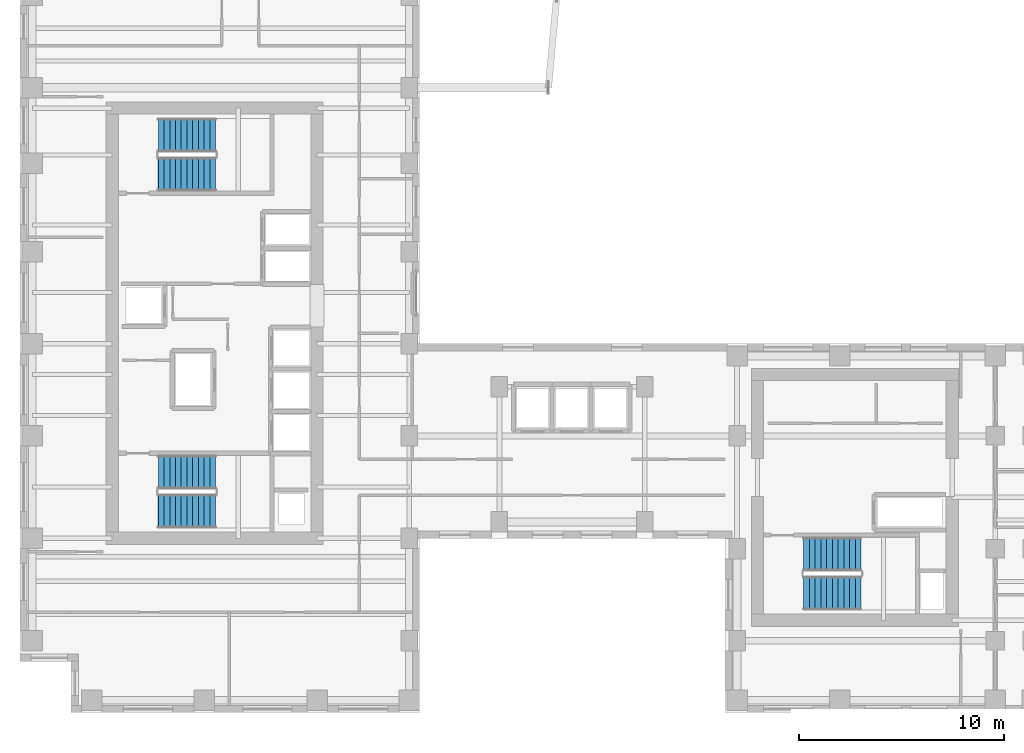
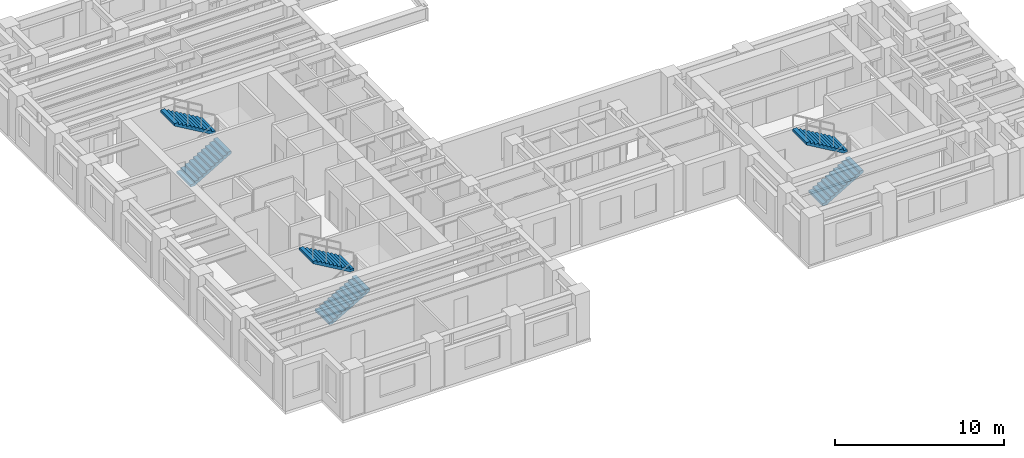
# One storey, part 11 of 13: 6 stair flights, 3 elements without a shape of their own.
"""IFC4 building model written with IfcOpenShell, lengths in metres."""

from ifc_helpers import new_model, si_unit, direction, frame, origin, place, context, subcontext, project, spatial, polyline, outline, extrude, source, transform, mapped, material, type_object, element, aggregate, save


model = new_model("IFC4")

# Units and contexts
model_context = context("Model", 3, precision=1e-05, world=origin(), true_north=direction((0.0, 1.0)))
body_context = subcontext(model_context, "Body", "Model", "MODEL_VIEW")
ifc_project = project(units=[si_unit("LENGTHUNIT", "METRE"), si_unit("AREAUNIT", "SQUARE_METRE"), si_unit("VOLUMEUNIT", "CUBIC_METRE"), si_unit("PLANEANGLEUNIT", "RADIAN"), si_unit("MASSUNIT", "GRAM", prefix="KILO")], contexts=[model_context])

# Site, building, storey
site_placement = place(None, origin())
site = spatial("IfcSite", under=ifc_project, at=site_placement, CompositionType="ELEMENT")
building_placement = place(site_placement, origin())
building = spatial("IfcBuilding", under=site, at=building_placement, Name="Kharzan Plaza Tower", CompositionType="ELEMENT")
storey_placement = place(building_placement, frame((0.0, 0.0, 153.89990234375)))
storey = spatial("IfcBuildingStorey", under=building, at=storey_placement, Name="L41", CompositionType="ELEMENT", Elevation=153.89990234375)

# Stair, stair flights
ifc_material = material(Name="Concrete C40/50", Category="concrete")
stair_type_1 = type_object("IfcStairType", Name="STR-ST-1", PredefinedType="HALF_TURN_STAIR", material=ifc_material)
stair_1_placement = place(storey_placement, origin())
stair_1 = element("IfcStair", 1, at=stair_1_placement, inside=storey, type_object=stair_type_1, Name="L41 Protected Exit Stair ST-1", PredefinedType="HALF_TURN_STAIR")
stair_flight_type = type_object("IfcStairFlightType", Name="SFL-1650-R173", PredefinedType="STRAIGHT", material=ifc_material)
shared_shape = source(origin(), body_context, "Body", "SweptSolid", [
    extrude(outline(polyline([(-0.0029296875, -0.011962890625), (-0.0029296875, 0.0), (0.0, 0.0), (0.0, 0.16357421875), (0.280029296875, 0.16357421875), (0.280029296875, 0.3271484375), (0.56005859375, 0.3271484375), (0.56005859375, 0.49072265625), (0.840087890625, 0.49072265625), (0.840087890625, 0.654296875), (1.1201171875, 0.654296875), (1.1201171875, 0.81787109375), (1.400146484375, 0.81787109375), (1.400146484375, 0.9814453125), (1.68017578125, 0.9814453125), (1.68017578125, 1.14501953125), (1.960205078125, 1.14501953125), (1.960205078125, 1.30859375), (2.240234375, 1.30859375), (2.240234375, 1.47216796875), (2.520263671875, 1.47216796875), (2.520263671875, 1.6357421875), (2.80029296875, 1.6357421875), (2.80029296875, 1.79931640625), (2.80029296875, 1.462158203125), (0.297119140625, 0.0), (0.297119140625, -0.011962890625), (-0.0029296875, -0.011962890625)])), frame((0.0, 0.824951171875, 0.0), z_axis=(0.0, -1.0, 0.0), x_axis=(1.0, 0.0, 0.0)), (0.0, 0.0, 1.0), 1.64990234375),
])
stair_flight_1_placement = place(storey_placement, frame((6.75, 9.824951171875, 0.0), z_axis=(0.0, 0.0, 1.0), x_axis=(1.0, 0.0, 0.0)))
stair_flight_1 = element("IfcStairFlight", 2, at=stair_flight_1_placement, type_object=stair_flight_type, Name="ST-1 flight 1", NumberOfRisers=11, NumberOfTreads=10, PredefinedType="STRAIGHT", RiserHeight=0.163636364, TreadLength=0.28, context=body_context, shape_type="MappedRepresentation", body=[
    mapped(shared_shape, transform((0.0, 0.0, 0.0), x_axis=(1.0, 0.0, 0.0), y_axis=(0.0, 1.0, 0.0), z_axis=(0.0, 0.0, 1.0))),
])
stair_flight_2_placement = place(storey_placement, frame((9.550048828125, 11.72509765625, 1.800048828125), z_axis=(0.0, 0.0, 1.0), x_axis=(-1.0, 0.0, 0.0)))
stair_flight_2 = element("IfcStairFlight", 3, at=stair_flight_2_placement, type_object=stair_flight_type, Name="ST-1 flight 2", NumberOfRisers=11, NumberOfTreads=10, PredefinedType="STRAIGHT", RiserHeight=0.163636364, TreadLength=0.28, context=body_context, shape_type="MappedRepresentation", body=[
    mapped(shared_shape, transform((0.0, 0.0, 0.0), x_axis=(1.0, 0.0, 0.0), y_axis=(0.0, 1.0, 0.0), z_axis=(0.0, 0.0, 1.0))),
])
aggregate(stair_1, [stair_flight_1, stair_flight_2])

stair_type_2 = type_object("IfcStairType", Name="STR-ST-2", PredefinedType="HALF_TURN_STAIR", material=ifc_material)
stair_2_placement = place(storey_placement, origin())
stair_2 = element("IfcStair", 4, at=stair_2_placement, inside=storey, type_object=stair_type_2, Name="L41 Protected Exit Stair ST-2", PredefinedType="HALF_TURN_STAIR")
stair_flight_3_placement = place(storey_placement, frame((6.75, 26.27490234375, 0.0), z_axis=(0.0, 0.0, 1.0), x_axis=(1.0, 0.0, 0.0)))
stair_flight_3 = element("IfcStairFlight", 5, at=stair_flight_3_placement, type_object=stair_flight_type, Name="ST-2 flight 1", NumberOfRisers=11, NumberOfTreads=10, PredefinedType="STRAIGHT", RiserHeight=0.163636364, TreadLength=0.28, context=body_context, shape_type="MappedRepresentation", body=[
    mapped(shared_shape, transform((0.0, 0.0, 0.0), x_axis=(1.0, 0.0, 0.0), y_axis=(0.0, 1.0, 0.0), z_axis=(0.0, 0.0, 1.0))),
])
stair_flight_4_placement = place(storey_placement, frame((9.550048828125, 28.175048828125, 1.800048828125), z_axis=(0.0, 0.0, 1.0), x_axis=(-1.0, 0.0, 0.0)))
stair_flight_4 = element("IfcStairFlight", 6, at=stair_flight_4_placement, type_object=stair_flight_type, Name="ST-2 flight 2", NumberOfRisers=11, NumberOfTreads=10, PredefinedType="STRAIGHT", RiserHeight=0.163636364, TreadLength=0.28, context=body_context, shape_type="MappedRepresentation", body=[
    mapped(shared_shape, transform((0.0, 0.0, 0.0), x_axis=(1.0, 0.0, 0.0), y_axis=(0.0, 1.0, 0.0), z_axis=(0.0, 0.0, 1.0))),
])
aggregate(stair_2, [stair_flight_3, stair_flight_4])

stair_type_3 = type_object("IfcStairType", Name="STR-ST-3", PredefinedType="HALF_TURN_STAIR", material=ifc_material)
stair_3_placement = place(storey_placement, origin())
stair_3 = element("IfcStair", 7, at=stair_3_placement, inside=storey, type_object=stair_type_3, Name="L41 Protected Exit Stair ST-3", PredefinedType="HALF_TURN_STAIR")
stair_flight_5_placement = place(storey_placement, frame((38.25, 5.824951171875, 0.0), z_axis=(0.0, 0.0, 1.0), x_axis=(1.0, 0.0, 0.0)))
stair_flight_5 = element("IfcStairFlight", 8, at=stair_flight_5_placement, type_object=stair_flight_type, Name="ST-3 flight 1", NumberOfRisers=11, NumberOfTreads=10, PredefinedType="STRAIGHT", RiserHeight=0.163636364, TreadLength=0.28, context=body_context, shape_type="MappedRepresentation", body=[
    mapped(shared_shape, transform((0.0, 0.0, 0.0), x_axis=(1.0, 0.0, 0.0), y_axis=(0.0, 1.0, 0.0), z_axis=(0.0, 0.0, 1.0))),
])
stair_flight_6_placement = place(storey_placement, frame((41.050048828125, 7.72509765625, 1.800048828125), z_axis=(0.0, 0.0, 1.0), x_axis=(-1.0, 0.0, 0.0)))
stair_flight_6 = element("IfcStairFlight", 9, at=stair_flight_6_placement, type_object=stair_flight_type, Name="ST-3 flight 2", NumberOfRisers=11, NumberOfTreads=10, PredefinedType="STRAIGHT", RiserHeight=0.163636364, TreadLength=0.28, context=body_context, shape_type="MappedRepresentation", body=[
    mapped(shared_shape, transform((0.0, 0.0, 0.0), x_axis=(1.0, 0.0, 0.0), y_axis=(0.0, 1.0, 0.0), z_axis=(0.0, 0.0, 1.0))),
])
aggregate(stair_3, [stair_flight_5, stair_flight_6])

save(model, "model.ifc")
